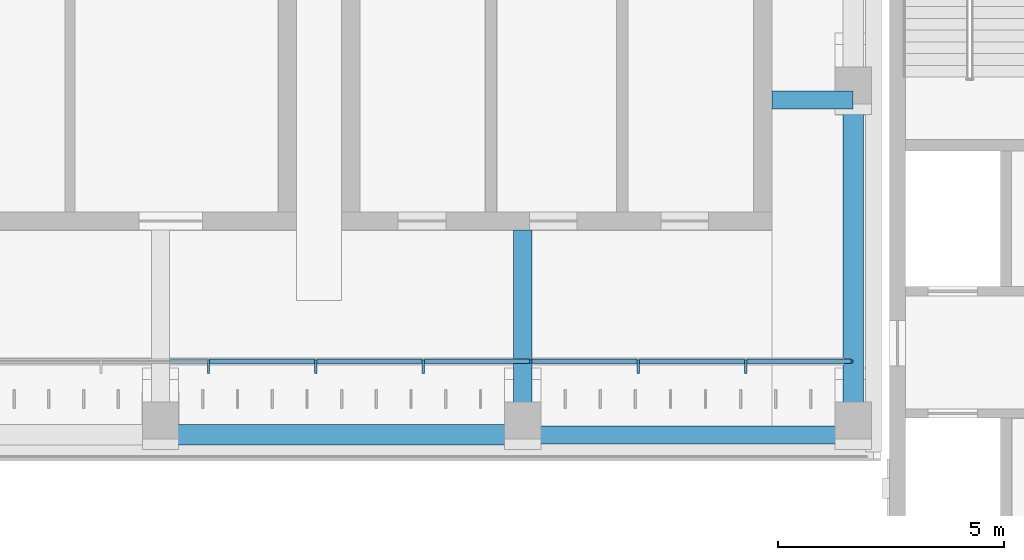
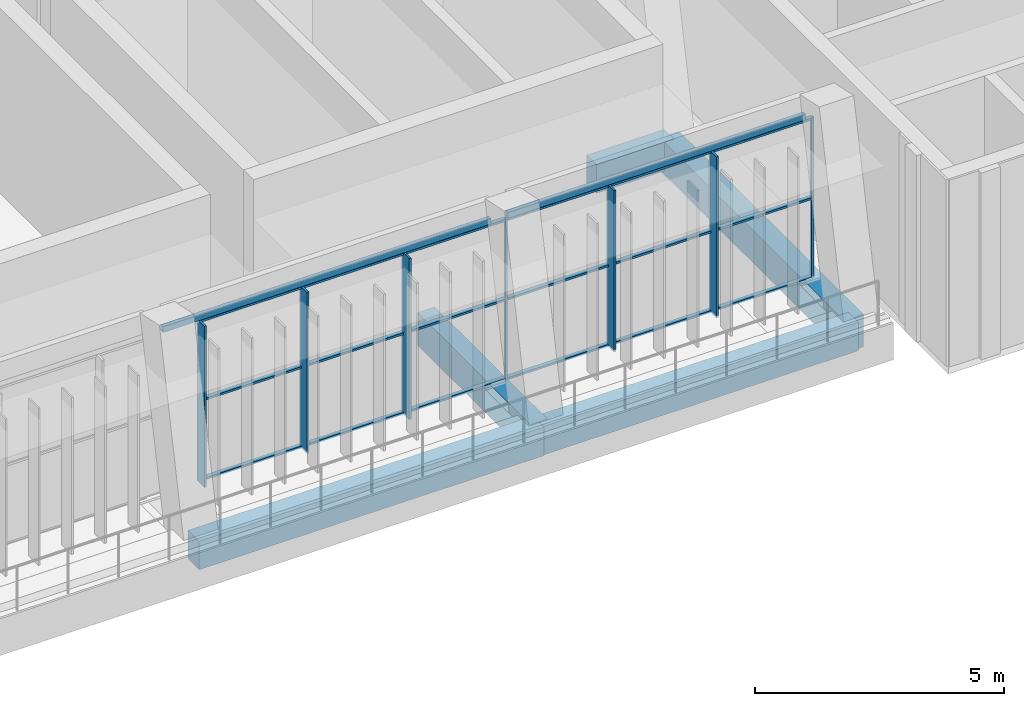
# One storey, part 82 of 141: 25 members, 7 beams, 1 element without a shape of its own.
"""IFC4 building model written with IfcOpenShell, lengths in metres."""

import ifcopenshell
import ifcopenshell.guid

model = None  # the IFC model being written
_history = None  # IfcOwnerHistory: only IFC2X3 demands one
_inside = {}  # id of a spatial element -> (the spatial element, [elements in it])
_under = {}  # id of a project, library or spatial element -> (it, [spatial elements below it])
_declared = {}  # id of a project -> (the project, [libraries it declares])
_typed = {}  # id of a type object -> (the type object, [elements of that type])
_made_of = {}  # id of a material, layer set ... -> (it, [elements and type objects made of it])


def new_model(schema):
    """Start an empty IFC model of exactly this schema.

    Asked for "IFC4X3", IfcOpenShell would pick the latest addendum, in which some entities
    have other attributes; the version numbers below select the first issue.
    IFC2X3 requires an IfcOwnerHistory on every rooted entity: one is made here for all.
    """
    global model, _history
    if schema == "IFC4X3":
        model = ifcopenshell.file(schema_version=(4, 3, 0, 0))
    else:
        model = ifcopenshell.file(schema=schema)
    _inside.clear()
    _under.clear()
    _declared.clear()
    _typed.clear()
    _made_of.clear()
    _history = None
    if model.schema == "IFC2X3":
        org = make("IfcOrganization", Name="unknown")
        user = make(
            "IfcPersonAndOrganization",
            ThePerson=make("IfcPerson", FamilyName="unknown"),
            TheOrganization=org,
        )
        app = make(
            "IfcApplication",
            ApplicationDeveloper=org,
            Version="unknown",
            ApplicationFullName="unknown",
            ApplicationIdentifier="unknown",
        )
        _history = make(
            "IfcOwnerHistory",
            OwningUser=user,
            OwningApplication=app,
            ChangeAction="ADDED",
            CreationDate=0,
        )
    return model


def make(cls, **values):
    """One entity of the class cls with the attributes given. An attribute that is None is left unset."""
    return model.create_entity(
        cls, **{name: value for name, value in values.items() if value is not None}
    )


def rooted(cls, **values):
    """An entity with a GlobalId (a new one), such as an element, a storey or a relation."""
    return make(cls, GlobalId=ifcopenshell.guid.new(), OwnerHistory=_history, **values)


def si_unit(unit_type, name, prefix=None):
    """IfcSIUnit, for example si_unit("LENGTHUNIT", "METRE", prefix="MILLI")."""
    return make("IfcSIUnit", UnitType=unit_type, Prefix=prefix, Name=name)


def assignment(units):
    """IfcUnitAssignment: the units of a project."""
    return None if units is None else make("IfcUnitAssignment", Units=units)


def point(xyz):
    """IfcCartesianPoint."""
    return None if xyz is None else make("IfcCartesianPoint", Coordinates=xyz)


def direction(xyz):
    """IfcDirection."""
    return None if xyz is None else make("IfcDirection", DirectionRatios=xyz)


def frame(location, z_axis=None, x_axis=None):
    """IfcAxis2Placement3D, a coordinate frame: its origin and axes. An axis left out is left unset."""
    return make(
        "IfcAxis2Placement3D",
        Location=point(location),
        Axis=direction(z_axis),
        RefDirection=direction(x_axis),
    )


def frame_2d(location, x_axis=None):
    """IfcAxis2Placement2D, a coordinate frame in the plane: its origin and x axis."""
    return make(
        "IfcAxis2Placement2D", Location=point(location), RefDirection=direction(x_axis)
    )


def origin():
    """The frame at (0, 0, 0) with its axes left unset."""
    return frame((0.0, 0.0, 0.0))


def origin_2d():
    """The frame at (0, 0) in the plane with its x axis left unset."""
    return frame_2d((0.0, 0.0))


def place(relative_to, where):
    """IfcLocalPlacement: puts the frame where relative to a parent placement (None: the world)."""
    return make(
        "IfcLocalPlacement", PlacementRelTo=relative_to, RelativePlacement=where
    )


def context(
    kind, dimensions, precision=None, world=None, true_north=None, identifier=None
):
    """IfcGeometricRepresentationContext, for example the 3D "Model" context."""
    return make(
        "IfcGeometricRepresentationContext",
        ContextIdentifier=identifier,
        ContextType=kind,
        CoordinateSpaceDimension=dimensions,
        Precision=precision,
        WorldCoordinateSystem=world,
        TrueNorth=true_north,
    )


def subcontext(parent, identifier, kind, view, scale=None):
    """IfcGeometricRepresentationSubContext, for example "Body" below "Model"."""
    return make(
        "IfcGeometricRepresentationSubContext",
        ContextIdentifier=identifier,
        ContextType=kind,
        ParentContext=parent,
        TargetScale=scale,
        TargetView=view,
    )


def project(units=None, contexts=None):
    """IfcProject with its units and contexts."""
    return rooted(
        "IfcProject",
        Name="project",
        RepresentationContexts=contexts,
        UnitsInContext=assignment(units),
    )


def spatial(cls, under=None, at=None, **own):
    """A site, building, storey or space (cls), placed at a placement, below another one or the project."""
    s = rooted(cls, ObjectPlacement=at, **own)
    if under is not None:
        _under.setdefault(under.id(), (under, []))[1].append(s)
    return s


def profile(cls, at=None, kind="AREA", **sizes):
    """A parametric profile (cls). Its sizes go by their IFC names, for example OverallWidth=200.0."""
    return make(cls, ProfileType=kind, Position=at, **sizes)


def rectangle(**sizes):
    """IfcRectangleProfileDef."""
    return profile("IfcRectangleProfileDef", **sizes)


def hollow_rectangle(**sizes):
    """IfcRectangleHollowProfileDef."""
    return profile("IfcRectangleHollowProfileDef", **sizes)


def extrude(swept, where, along, depth):
    """IfcExtrudedAreaSolid: the profile swept, set in the frame where, extruded along a direction by depth."""
    return make(
        "IfcExtrudedAreaSolid",
        SweptArea=swept,
        Position=where,
        ExtrudedDirection=direction(along),
        Depth=depth,
    )


def shape(context_of_items, identifier, shape_type, items):
    """IfcShapeRepresentation: the items that make up one representation, for example the "Body"."""
    return make(
        "IfcShapeRepresentation",
        ContextOfItems=context_of_items,
        RepresentationIdentifier=identifier,
        RepresentationType=shape_type,
        Items=items,
    )


def material(Name=None, Category=None):
    """IfcMaterial."""
    return make("IfcMaterial", Name=Name, Category=Category)


def material_profile(
    of_material, cross_section, Name=None, Category=None, Priority=None
):
    """IfcMaterialProfile: a cross section and its material."""
    return make(
        "IfcMaterialProfile",
        Name=Name,
        Material=of_material,
        Profile=cross_section,
        Priority=Priority,
        Category=Category,
    )


def profile_set(profiles, Name=None, composite=None):
    """IfcMaterialProfileSet."""
    return make(
        "IfcMaterialProfileSet",
        Name=Name,
        MaterialProfiles=profiles,
        CompositeProfile=composite,
    )


def made_of(thing, what):
    """Note that an element or type object is made of a material, layer set ...; save() writes the relation."""
    if what is not None:
        _made_of.setdefault(what.id(), (what, []))[1].append(thing)
    return thing


def type_object(cls, material=None, **own):
    """A type object (cls), such as IfcWallType, which elements share."""
    return made_of(rooted(cls, **own), material)


def element(
    cls,
    number,
    at=None,
    inside=None,
    cuts=None,
    type_object=None,
    material=None,
    context=None,
    identifier="Body",
    shape_type=None,
    held_by="IfcProductDefinitionShape",
    body=None,
    shapes=None,
    **own,
):
    """One element of the class cls, such as IfcWall. Its Tag is "e" and its number.

    at: its placement. inside: the storey or other place that contains it. cuts: it is an
    opening in that element (IfcRelVoidsElement). A single representation is given by context,
    identifier, shape_type and body (its items); several are given by shapes. held_by: the class
    of the entity that holds the representations. save() writes the other relations.
    """
    e = rooted(cls, Tag="e%d" % number, ObjectPlacement=at, **own)
    if body is not None:
        shapes = [shape(context, identifier, shape_type, body)]
    if shapes is not None:
        e.Representation = make(held_by, Representations=shapes)
    if inside is not None:
        _inside.setdefault(inside.id(), (inside, []))[1].append(e)
    if cuts is not None:
        rooted(
            "IfcRelVoidsElement", RelatingBuildingElement=cuts, RelatedOpeningElement=e
        )
    if type_object is not None:
        _typed.setdefault(type_object.id(), (type_object, []))[1].append(e)
    return made_of(e, material)


def aggregate(whole, parts):
    """IfcRelAggregates: a whole, such as a stair, and the parts it consists of."""
    return rooted("IfcRelAggregates", RelatingObject=whole, RelatedObjects=parts)


def save(model, path):
    """Write the relations noted so far, then the file.

    IfcRelAggregates (storeys below a building ...), IfcRelContainedInSpatialStructure (elements
    in a storey), IfcRelDefinesByType, IfcRelAssociatesMaterial and IfcRelDeclares: one each for
    every whole, place, type object, material and project.
    """
    for whole, parts in _under.values():
        aggregate(whole, parts)
    for where, things in _inside.values():
        rooted(
            "IfcRelContainedInSpatialStructure",
            RelatedElements=things,
            RelatingStructure=where,
        )
    for kind, things in _typed.values():
        rooted("IfcRelDefinesByType", RelatedObjects=things, RelatingType=kind)
    for what, things in _made_of.values():
        rooted("IfcRelAssociatesMaterial", RelatedObjects=things, RelatingMaterial=what)
    for by, libraries in _declared.values():
        rooted("IfcRelDeclares", RelatingContext=by, RelatedDefinitions=libraries)
    model.write(path)


model = new_model("IFC4")

# Units and contexts
model_context = context("Model", 3, precision=1e-05, world=origin(), true_north=direction((0.0, 1.0)))
body_context = subcontext(model_context, "Body", "Model", "MODEL_VIEW")
ifc_project = project(units=[si_unit("LENGTHUNIT", "METRE"), si_unit("AREAUNIT", "SQUARE_METRE"), si_unit("VOLUMEUNIT", "CUBIC_METRE"), si_unit("PLANEANGLEUNIT", "RADIAN"), si_unit("MASSUNIT", "GRAM", prefix="KILO")], contexts=[model_context])

# Site, building, storey
site_placement = place(None, origin())
site = spatial("IfcSite", under=ifc_project, at=site_placement, CompositionType="ELEMENT")
building_placement = place(site_placement, origin())
building = spatial("IfcBuilding", under=site, at=building_placement, Name="Lantern Court Media Centre", CompositionType="ELEMENT")
storey_placement = place(building_placement, frame((0.0, 0.0, 9.60009765625)))
storey = spatial("IfcBuildingStorey", under=building, at=storey_placement, Name="L02", CompositionType="ELEMENT", Elevation=9.60009765625)

# Curtain wall, members
ifc_material_1 = material(Name="Curtain wall bay 2400")
curtain_wall_type = type_object("IfcCurtainWallType", Name="Curtain wall bay 2400", PredefinedType="NOTDEFINED", material=ifc_material_1)
curtain_wall_placement = place(storey_placement, origin())
curtain_wall = element("IfcCurtainWall", 1, at=curtain_wall_placement, inside=storey, type_object=curtain_wall_type, Name="Curtain wall N inner L02", PredefinedType="NOTDEFINED")
ifc_material_2 = material(Name="Anodised aluminium", Category="aluminium")
ifc_material_profile_1 = material_profile(ifc_material_2, rectangle(XDim=0.300048828125, YDim=0.050048828125, at=origin_2d()), Name="AL 50x300")
ifc_profile_set_1 = profile_set([ifc_material_profile_1], Name="Anodised aluminium")
member_type_1 = type_object("IfcMemberType", Name="Curtain wall mullion 50x300", PredefinedType="MULLION", material=ifc_profile_set_1)
member_1_placement = place(storey_placement, frame((65.056640625, 100.030029296875, 0.0), z_axis=(0.0, 0.0, 1.0), x_axis=(0.0, 1.0, 0.0)))
member_1 = element("IfcMember", 2, at=member_1_placement, type_object=member_type_1, Name="CW2 mullion 18", PredefinedType="MULLION", context=body_context, shape_type="SweptSolid", body=[
    extrude(rectangle(XDim=0.300048828125, YDim=0.050048828125, at=origin_2d()), origin(), (0.0, 0.0, 1.0), 3.949951171875),
])
member_2_placement = place(storey_placement, frame((67.430419921875, 100.030029296875, 0.0), z_axis=(0.0, 0.0, 1.0), x_axis=(0.0, 1.0, 0.0)))
member_2 = element("IfcMember", 3, at=member_2_placement, type_object=member_type_1, Name="CW2 mullion 19", PredefinedType="MULLION", context=body_context, shape_type="SweptSolid", body=[
    extrude(rectangle(XDim=0.300048828125, YDim=0.050048828125, at=origin_2d()), origin(), (0.0, 0.0, 1.0), 3.949951171875),
])
member_3_placement = place(storey_placement, frame((69.804443359375, 100.030029296875, 0.0), z_axis=(0.0, 0.0, 1.0), x_axis=(0.0, 1.0, 0.0)))
member_3 = element("IfcMember", 4, at=member_3_placement, type_object=member_type_1, Name="CW2 mullion 20", PredefinedType="MULLION", context=body_context, shape_type="SweptSolid", body=[
    extrude(rectangle(XDim=0.300048828125, YDim=0.050048828125, at=origin_2d()), origin(), (0.0, 0.0, 1.0), 3.949951171875),
])
member_4_placement = place(storey_placement, frame((74.55224609375, 100.030029296875, 0.0), z_axis=(0.0, 0.0, 1.0), x_axis=(0.0, 1.0, 0.0)))
member_4 = element("IfcMember", 5, at=member_4_placement, type_object=member_type_1, Name="CW2 mullion 22", PredefinedType="MULLION", context=body_context, shape_type="SweptSolid", body=[
    extrude(rectangle(XDim=0.300048828125, YDim=0.050048828125, at=origin_2d()), origin(), (0.0, 0.0, 1.0), 3.949951171875),
])
member_5_placement = place(storey_placement, frame((76.926025390625, 100.030029296875, 0.0), z_axis=(0.0, 0.0, 1.0), x_axis=(0.0, 1.0, 0.0)))
member_5 = element("IfcMember", 6, at=member_5_placement, type_object=member_type_1, Name="CW2 mullion 23", PredefinedType="MULLION", context=body_context, shape_type="SweptSolid", body=[
    extrude(rectangle(XDim=0.300048828125, YDim=0.050048828125, at=origin_2d()), origin(), (0.0, 0.0, 1.0), 3.949951171875),
])
ifc_material_profile_2 = material_profile(ifc_material_2, rectangle(XDim=0.06005859375, YDim=0.050048828125, at=origin_2d()), Name="AL 50x60")
ifc_profile_set_2 = profile_set([ifc_material_profile_2], Name="Anodised aluminium")
member_type_2 = type_object("IfcMemberType", Name="Curtain wall mullion 50x60", PredefinedType="MULLION", material=ifc_profile_set_2)
member_6_placement = place(storey_placement, frame((72.17822265625, 100.14990234375, 0.0), z_axis=(0.0, 0.0, 1.0), x_axis=(0.0, 1.0, 0.0)))
member_6 = element("IfcMember", 7, at=member_6_placement, type_object=member_type_2, Name="CW2 mullion 21", PredefinedType="MULLION", context=body_context, shape_type="SweptSolid", body=[
    extrude(rectangle(XDim=0.06005859375, YDim=0.050048828125, at=origin_2d()), origin(), (0.0, 0.0, 1.0), 3.949951171875),
])
member_7_placement = place(storey_placement, frame((79.27490234375, 100.14990234375, 0.0), z_axis=(0.0, 0.0, 1.0), x_axis=(0.0, 1.0, 0.0)))
member_7 = element("IfcMember", 8, at=member_7_placement, type_object=member_type_2, Name="CW2 mullion 24", PredefinedType="MULLION", context=body_context, shape_type="SweptSolid", body=[
    extrude(rectangle(XDim=0.06005859375, YDim=0.050048828125, at=origin_2d()), origin(), (0.0, 0.0, 1.0), 3.949951171875),
])
ifc_material_profile_3 = material_profile(ifc_material_2, rectangle(XDim=0.10009765625, YDim=0.050048828125, at=origin_2d()), Name="AL 50x100")
ifc_profile_set_3 = profile_set([ifc_material_profile_3], Name="Anodised aluminium")
member_type_3 = type_object("IfcMemberType", Name="Curtain wall transom 100x50", PredefinedType="USERDEFINED", material=ifc_profile_set_3)
member_8_placement = place(storey_placement, frame((65.08154296875, 100.14990234375, 0.02490234375), z_axis=(1.0, 0.0, 0.0), x_axis=(0.0, 1.0, 0.0)))
member_8 = element("IfcMember", 9, at=member_8_placement, type_object=member_type_3, Name="CW2 transom 18.1", ObjectType="TRANSOM", PredefinedType="USERDEFINED", context=body_context, shape_type="SweptSolid", body=[
    extrude(rectangle(XDim=0.10009765625, YDim=0.050048828125, at=origin_2d()), origin(), (0.0, 0.0, 1.0), 2.323974609375),
])
member_9_placement = place(storey_placement, frame((65.08154296875, 100.14990234375, 1.974853515625), z_axis=(1.0, 0.0, 0.0), x_axis=(0.0, 1.0, 0.0)))
member_9 = element("IfcMember", 10, at=member_9_placement, type_object=member_type_3, Name="CW2 transom 18.2", ObjectType="TRANSOM", PredefinedType="USERDEFINED", context=body_context, shape_type="SweptSolid", body=[
    extrude(rectangle(XDim=0.10009765625, YDim=0.050048828125, at=origin_2d()), origin(), (0.0, 0.0, 1.0), 2.323974609375),
])
member_10_placement = place(storey_placement, frame((65.08154296875, 100.14990234375, 3.9248046875), z_axis=(1.0, 0.0, 0.0), x_axis=(0.0, 1.0, 0.0)))
member_10 = element("IfcMember", 11, at=member_10_placement, type_object=member_type_3, Name="CW2 transom 18.3", ObjectType="TRANSOM", PredefinedType="USERDEFINED", context=body_context, shape_type="SweptSolid", body=[
    extrude(rectangle(XDim=0.10009765625, YDim=0.050048828125, at=origin_2d()), origin(), (0.0, 0.0, 1.0), 2.323974609375),
])
member_11_placement = place(storey_placement, frame((67.455322265625, 100.14990234375, 0.02490234375), z_axis=(1.0, 0.0, 0.0), x_axis=(0.0, 1.0, 0.0)))
member_11 = element("IfcMember", 12, at=member_11_placement, type_object=member_type_3, Name="CW2 transom 19.1", ObjectType="TRANSOM", PredefinedType="USERDEFINED", context=body_context, shape_type="SweptSolid", body=[
    extrude(rectangle(XDim=0.10009765625, YDim=0.050048828125, at=origin_2d()), origin(), (0.0, 0.0, 1.0), 2.323974609375),
])
member_12_placement = place(storey_placement, frame((67.455322265625, 100.14990234375, 1.974853515625), z_axis=(1.0, 0.0, 0.0), x_axis=(0.0, 1.0, 0.0)))
member_12 = element("IfcMember", 13, at=member_12_placement, type_object=member_type_3, Name="CW2 transom 19.2", ObjectType="TRANSOM", PredefinedType="USERDEFINED", context=body_context, shape_type="SweptSolid", body=[
    extrude(rectangle(XDim=0.10009765625, YDim=0.050048828125, at=origin_2d()), origin(), (0.0, 0.0, 1.0), 2.323974609375),
])
member_13_placement = place(storey_placement, frame((67.455322265625, 100.14990234375, 3.9248046875), z_axis=(1.0, 0.0, 0.0), x_axis=(0.0, 1.0, 0.0)))
member_13 = element("IfcMember", 14, at=member_13_placement, type_object=member_type_3, Name="CW2 transom 19.3", ObjectType="TRANSOM", PredefinedType="USERDEFINED", context=body_context, shape_type="SweptSolid", body=[
    extrude(rectangle(XDim=0.10009765625, YDim=0.050048828125, at=origin_2d()), origin(), (0.0, 0.0, 1.0), 2.323974609375),
])
member_14_placement = place(storey_placement, frame((69.829345703125, 100.14990234375, 0.02490234375), z_axis=(1.0, 0.0, 0.0), x_axis=(0.0, 1.0, 0.0)))
member_14 = element("IfcMember", 15, at=member_14_placement, type_object=member_type_3, Name="CW2 transom 20.1", ObjectType="TRANSOM", PredefinedType="USERDEFINED", context=body_context, shape_type="SweptSolid", body=[
    extrude(rectangle(XDim=0.10009765625, YDim=0.050048828125, at=origin_2d()), origin(), (0.0, 0.0, 1.0), 2.323974609375),
])
member_15_placement = place(storey_placement, frame((69.829345703125, 100.14990234375, 1.974853515625), z_axis=(1.0, 0.0, 0.0), x_axis=(0.0, 1.0, 0.0)))
member_15 = element("IfcMember", 16, at=member_15_placement, type_object=member_type_3, Name="CW2 transom 20.2", ObjectType="TRANSOM", PredefinedType="USERDEFINED", context=body_context, shape_type="SweptSolid", body=[
    extrude(rectangle(XDim=0.10009765625, YDim=0.050048828125, at=origin_2d()), origin(), (0.0, 0.0, 1.0), 2.323974609375),
])
member_16_placement = place(storey_placement, frame((69.829345703125, 100.14990234375, 3.9248046875), z_axis=(1.0, 0.0, 0.0), x_axis=(0.0, 1.0, 0.0)))
member_16 = element("IfcMember", 17, at=member_16_placement, type_object=member_type_3, Name="CW2 transom 20.3", ObjectType="TRANSOM", PredefinedType="USERDEFINED", context=body_context, shape_type="SweptSolid", body=[
    extrude(rectangle(XDim=0.10009765625, YDim=0.050048828125, at=origin_2d()), origin(), (0.0, 0.0, 1.0), 2.323974609375),
])
member_17_placement = place(storey_placement, frame((72.203369140625, 100.14990234375, 0.02490234375), z_axis=(1.0, 0.0, 0.0), x_axis=(0.0, 1.0, 0.0)))
member_17 = element("IfcMember", 18, at=member_17_placement, type_object=member_type_3, Name="CW2 transom 21.1", ObjectType="TRANSOM", PredefinedType="USERDEFINED", context=body_context, shape_type="SweptSolid", body=[
    extrude(rectangle(XDim=0.10009765625, YDim=0.050048828125, at=origin_2d()), origin(), (0.0, 0.0, 1.0), 2.32373046875),
])
member_18_placement = place(storey_placement, frame((72.203369140625, 100.14990234375, 1.974853515625), z_axis=(1.0, 0.0, 0.0), x_axis=(0.0, 1.0, 0.0)))
member_18 = element("IfcMember", 19, at=member_18_placement, type_object=member_type_3, Name="CW2 transom 21.2", ObjectType="TRANSOM", PredefinedType="USERDEFINED", context=body_context, shape_type="SweptSolid", body=[
    extrude(rectangle(XDim=0.10009765625, YDim=0.050048828125, at=origin_2d()), origin(), (0.0, 0.0, 1.0), 2.32373046875),
])
member_19_placement = place(storey_placement, frame((72.203369140625, 100.14990234375, 3.9248046875), z_axis=(1.0, 0.0, 0.0), x_axis=(0.0, 1.0, 0.0)))
member_19 = element("IfcMember", 20, at=member_19_placement, type_object=member_type_3, Name="CW2 transom 21.3", ObjectType="TRANSOM", PredefinedType="USERDEFINED", context=body_context, shape_type="SweptSolid", body=[
    extrude(rectangle(XDim=0.10009765625, YDim=0.050048828125, at=origin_2d()), origin(), (0.0, 0.0, 1.0), 2.32373046875),
])
member_20_placement = place(storey_placement, frame((74.5771484375, 100.14990234375, 0.02490234375), z_axis=(1.0, 0.0, 0.0), x_axis=(0.0, 1.0, 0.0)))
member_20 = element("IfcMember", 21, at=member_20_placement, type_object=member_type_3, Name="CW2 transom 22.1", ObjectType="TRANSOM", PredefinedType="USERDEFINED", context=body_context, shape_type="SweptSolid", body=[
    extrude(rectangle(XDim=0.10009765625, YDim=0.050048828125, at=origin_2d()), origin(), (0.0, 0.0, 1.0), 2.323974609375),
])
member_21_placement = place(storey_placement, frame((74.5771484375, 100.14990234375, 1.974853515625), z_axis=(1.0, 0.0, 0.0), x_axis=(0.0, 1.0, 0.0)))
member_21 = element("IfcMember", 22, at=member_21_placement, type_object=member_type_3, Name="CW2 transom 22.2", ObjectType="TRANSOM", PredefinedType="USERDEFINED", context=body_context, shape_type="SweptSolid", body=[
    extrude(rectangle(XDim=0.10009765625, YDim=0.050048828125, at=origin_2d()), origin(), (0.0, 0.0, 1.0), 2.323974609375),
])
member_22_placement = place(storey_placement, frame((74.5771484375, 100.14990234375, 3.9248046875), z_axis=(1.0, 0.0, 0.0), x_axis=(0.0, 1.0, 0.0)))
member_22 = element("IfcMember", 23, at=member_22_placement, type_object=member_type_3, Name="CW2 transom 22.3", ObjectType="TRANSOM", PredefinedType="USERDEFINED", context=body_context, shape_type="SweptSolid", body=[
    extrude(rectangle(XDim=0.10009765625, YDim=0.050048828125, at=origin_2d()), origin(), (0.0, 0.0, 1.0), 2.323974609375),
])
member_23_placement = place(storey_placement, frame((76.951171875, 100.14990234375, 0.02490234375), z_axis=(1.0, 0.0, 0.0), x_axis=(0.0, 1.0, 0.0)))
member_23 = element("IfcMember", 24, at=member_23_placement, type_object=member_type_3, Name="CW2 transom 23.1", ObjectType="TRANSOM", PredefinedType="USERDEFINED", context=body_context, shape_type="SweptSolid", body=[
    extrude(rectangle(XDim=0.10009765625, YDim=0.050048828125, at=origin_2d()), origin(), (0.0, 0.0, 1.0), 2.298828125),
])
member_24_placement = place(storey_placement, frame((76.951171875, 100.14990234375, 1.974853515625), z_axis=(1.0, 0.0, 0.0), x_axis=(0.0, 1.0, 0.0)))
member_24 = element("IfcMember", 25, at=member_24_placement, type_object=member_type_3, Name="CW2 transom 23.2", ObjectType="TRANSOM", PredefinedType="USERDEFINED", context=body_context, shape_type="SweptSolid", body=[
    extrude(rectangle(XDim=0.10009765625, YDim=0.050048828125, at=origin_2d()), origin(), (0.0, 0.0, 1.0), 2.298828125),
])
member_25_placement = place(storey_placement, frame((76.951171875, 100.14990234375, 3.9248046875), z_axis=(1.0, 0.0, 0.0), x_axis=(0.0, 1.0, 0.0)))
member_25 = element("IfcMember", 26, at=member_25_placement, type_object=member_type_3, Name="CW2 transom 23.3", ObjectType="TRANSOM", PredefinedType="USERDEFINED", context=body_context, shape_type="SweptSolid", body=[
    extrude(rectangle(XDim=0.10009765625, YDim=0.050048828125, at=origin_2d()), origin(), (0.0, 0.0, 1.0), 2.298828125),
])
aggregate(curtain_wall, [member_1, member_2, member_3, member_6, member_4, member_5, member_7, member_8, member_9, member_10, member_11, member_12, member_13, member_14, member_15, member_16, member_17, member_18, member_19, member_20, member_21, member_22, member_23, member_24, member_25])

# Beams
ifc_material_3 = material(Name="Steel S355J2 (EN 10025-2)", Category="steel")
ifc_material_profile_4 = material_profile(ifc_material_3, hollow_rectangle(XDim=0.10009765625, YDim=0.14990234375, WallThickness=0.00634765625, InnerFilletRadius=0.00634765625, OuterFilletRadius=0.009521484375, at=origin_2d()), Name="Facade head lintel RHS 150x100x6.3")
ifc_profile_set_4 = profile_set([ifc_material_profile_4], Name="Steel S355J2 (EN 10025-2)")
beam_type_1 = type_object("IfcBeamType", Name="Facade head lintel RHS 150x100x6.3", PredefinedType="BEAM", material=ifc_profile_set_4)
beam_1_placement = place(storey_placement, frame((64.199951171875, 100.14990234375, 4.02490234375), z_axis=(1.0, 0.0, 0.0), x_axis=(0.0, 1.0, 0.0)))
element("IfcBeam", 27, at=beam_1_placement, inside=storey, type_object=beam_type_1, Name="Facade head lintel N L02", PredefinedType="BEAM", context=body_context, shape_type="SweptSolid", body=[
    extrude(hollow_rectangle(XDim=0.10009765625, YDim=0.14990234375, WallThickness=0.00634765625, InnerFilletRadius=0.00634765625, OuterFilletRadius=0.009521484375, at=origin_2d()), origin(), (0.0, 0.0, 1.0), 7.60009765625),
])
beam_2_placement = place(storey_placement, frame((72.199951171875, 100.14990234375, 4.02490234375), z_axis=(1.0, 0.0, 0.0), x_axis=(0.0, 1.0, 0.0)))
element("IfcBeam", 28, at=beam_2_placement, inside=storey, type_object=beam_type_1, Name="Facade head lintel N L02", PredefinedType="BEAM", context=body_context, shape_type="SweptSolid", body=[
    extrude(hollow_rectangle(XDim=0.10009765625, YDim=0.14990234375, WallThickness=0.00634765625, InnerFilletRadius=0.00634765625, OuterFilletRadius=0.009521484375, at=origin_2d()), origin(), (0.0, 0.0, 1.0), 6.900146484375),
])
ifc_material_4 = material(Name="Concrete C35", Category="concrete")
ifc_material_profile_5 = material_profile(ifc_material_4, rectangle(XDim=0.39990234375, YDim=0.699951171875, at=origin_2d()), Name="RC 400x700")
ifc_profile_set_5 = profile_set([ifc_material_profile_5], Name="Concrete C35")
beam_type_2 = type_object("IfcBeamType", Name="RC BEAM 400x700", PredefinedType="BEAM", material=ifc_profile_set_5)
beam_3_placement = place(storey_placement, frame((72.0, 98.527099609375, -0.35009765625), z_axis=(1.0, 0.0, 0.0), x_axis=(0.0, 1.0, 0.0)))
element("IfcBeam", 29, at=beam_3_placement, inside=storey, type_object=beam_type_2, Name="LB-N-L02-0-6", PredefinedType="BEAM", context=body_context, shape_type="SweptSolid", body=[
    extrude(rectangle(XDim=0.39990234375, YDim=0.699951171875, at=origin_2d()), origin(), (0.0, 0.0, 1.0), 7.300048828125),
])
beam_4_placement = place(storey_placement, frame((77.5, 105.927001953125, -0.35009765625), z_axis=(1.0, 0.0, 0.0), x_axis=(0.0, 1.0, 0.0)))
element("IfcBeam", 30, at=beam_4_placement, inside=storey, type_object=beam_type_2, Name="LB-N-L02-1-1", PredefinedType="BEAM", context=body_context, shape_type="SweptSolid", body=[
    extrude(rectangle(XDim=0.39990234375, YDim=0.699951171875, at=origin_2d()), origin(), (0.0, 0.0, 1.0), 1.800048828125),
])
ifc_material_profile_6 = material_profile(ifc_material_4, rectangle(XDim=0.39990234375, YDim=0.800048828125, at=origin_2d()), Name="RC 400x800")
ifc_profile_set_6 = profile_set([ifc_material_profile_6], Name="Concrete C35")
beam_type_3 = type_object("IfcBeamType", Name="RC BEAM 400x800", PredefinedType="BEAM", material=ifc_profile_set_6)
beam_5_placement = place(storey_placement, frame((72.0, 98.5166015625, -0.400146484375), z_axis=(0.0, 1.0, 0.0), x_axis=(-1.0, 0.0, 0.0)))
element("IfcBeam", 31, at=beam_5_placement, inside=storey, type_object=beam_type_3, Name="TB-N-L02-6-1", PredefinedType="BEAM", context=body_context, shape_type="SweptSolid", body=[
    extrude(rectangle(XDim=0.39990234375, YDim=0.800048828125, at=origin_2d()), origin(), (0.0, 0.0, 1.0), 4.533447265625),
])
ifc_material_profile_7 = material_profile(ifc_material_4, rectangle(XDim=0.449951171875, YDim=0.699951171875, at=origin_2d()), Name="RC 450x700")
ifc_profile_set_7 = profile_set([ifc_material_profile_7], Name="Concrete C35")
beam_type_4 = type_object("IfcBeamType", Name="RC BEAM 450x700", PredefinedType="BEAM", material=ifc_profile_set_7)
beam_6_placement = place(storey_placement, frame((64.0, 98.527099609375, -0.35009765625), z_axis=(1.0, 0.0, 0.0), x_axis=(0.0, 1.0, 0.0)))
element("IfcBeam", 32, at=beam_6_placement, inside=storey, type_object=beam_type_4, Name="LB-N-L02-0-5", PredefinedType="BEAM", context=body_context, shape_type="SweptSolid", body=[
    extrude(rectangle(XDim=0.449951171875, YDim=0.699951171875, at=origin_2d()), origin(), (0.0, 0.0, 1.0), 8.0),
])
ifc_material_profile_8 = material_profile(ifc_material_4, rectangle(XDim=0.449951171875, YDim=0.800048828125, at=origin_2d()), Name="RC 450x800")
ifc_profile_set_8 = profile_set([ifc_material_profile_8], Name="Concrete C35")
beam_type_5 = type_object("IfcBeamType", Name="RC BEAM 450x800", PredefinedType="BEAM", material=ifc_profile_set_8)
beam_7_placement = place(storey_placement, frame((79.300048828125, 98.5166015625, -0.400146484375), z_axis=(0.0, 1.0, 0.0), x_axis=(-1.0, 0.0, 0.0)))
element("IfcBeam", 33, at=beam_7_placement, inside=storey, type_object=beam_type_5, Name="TB-N-L02-7-1", PredefinedType="BEAM", context=body_context, shape_type="SweptSolid", body=[
    extrude(rectangle(XDim=0.449951171875, YDim=0.800048828125, at=origin_2d()), origin(), (0.0, 0.0, 1.0), 7.400146484375),
])

save(model, "model.ifc")
